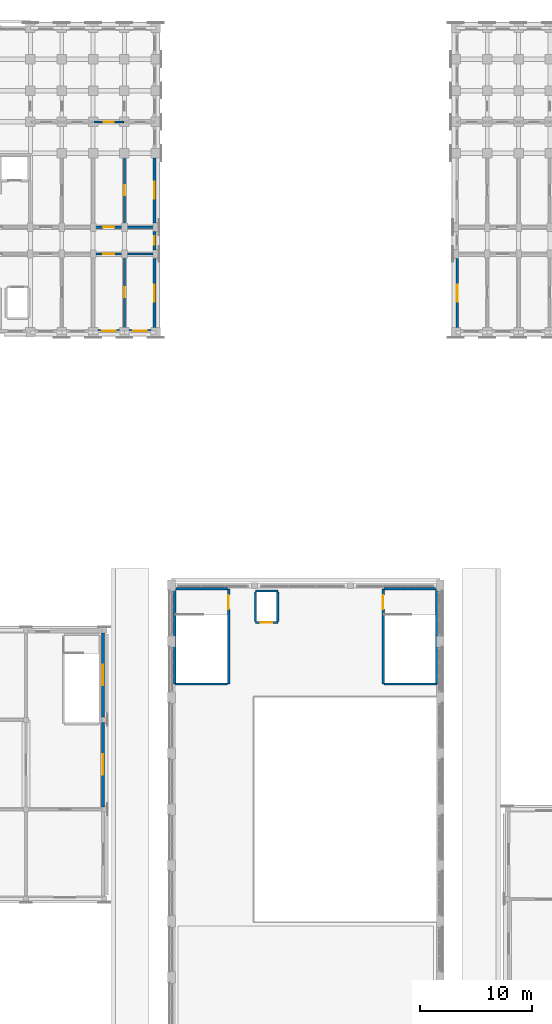
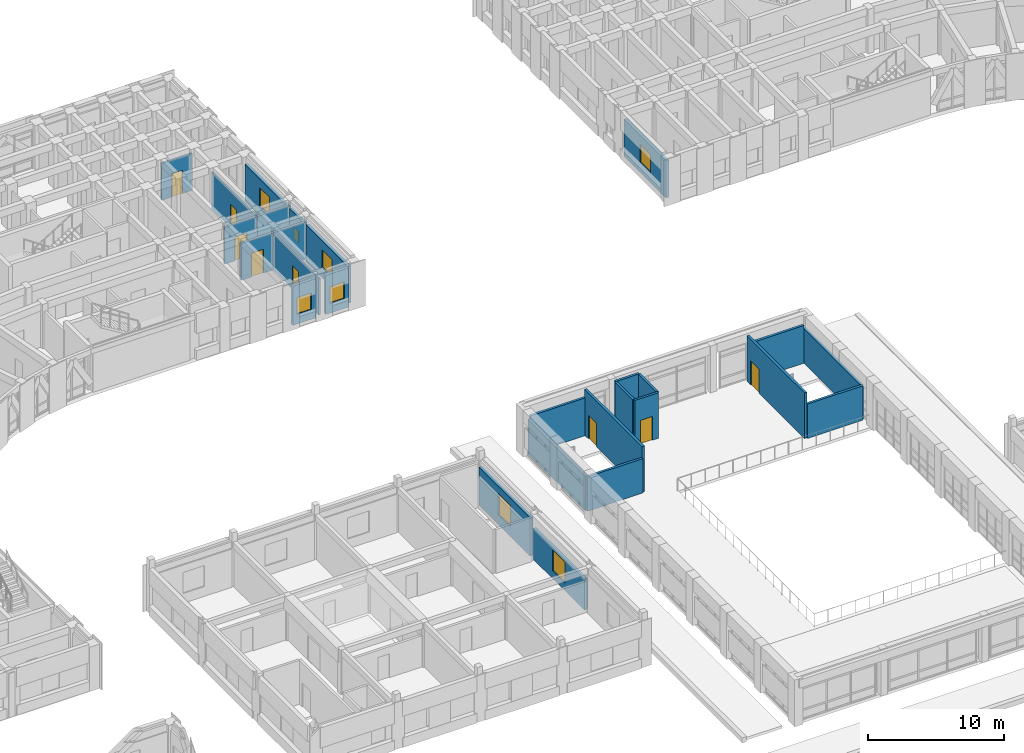
# One storey, part 71 of 97: 27 walls, 8 doors, 8 windows, 16 openings.
"""IFC4 building model written with IfcOpenShell, lengths in metres."""

from ifc_helpers import new_model, si_unit, direction, frame, frame_2d, origin, place, context, subcontext, project, spatial, rectangle, extrude, material, layer, layer_set, type_object, element, fill, save


model = new_model("IFC4")

# Units and contexts
model_context = context("Model", 3, precision=1e-05, world=origin(), true_north=direction((0.0, 1.0)))
body_context = subcontext(model_context, "Body", "Model", "MODEL_VIEW")
ifc_project = project(units=[si_unit("LENGTHUNIT", "METRE"), si_unit("AREAUNIT", "SQUARE_METRE"), si_unit("VOLUMEUNIT", "CUBIC_METRE"), si_unit("PLANEANGLEUNIT", "RADIAN"), si_unit("MASSUNIT", "GRAM", prefix="KILO")], contexts=[model_context])

# Site, building, storey
site_placement = place(None, origin())
site = spatial("IfcSite", under=ifc_project, at=site_placement, CompositionType="ELEMENT")
building_placement = place(site_placement, origin())
building = spatial("IfcBuilding", under=site, at=building_placement, Name="Kiranvali Square Residences", CompositionType="ELEMENT")
storey_placement = place(building_placement, frame((0.0, 0.0, 4.5)))
storey = spatial("IfcBuildingStorey", under=building, at=storey_placement, Name="L01", CompositionType="ELEMENT", Elevation=4.5)

# Wall, opening, door
ifc_material_1 = material(Name="Autoclaved aerated concrete blockwork masonry", Category="masonry")
ifc_layer_1 = layer(ifc_material_1, 0.199951171875)
ifc_layer_set_1 = layer_set([ifc_layer_1], Name="Autoclaved aerated concrete blockwork masonry")
wall_type_1 = type_object("IfcWallType", Name="WL-COR-200", PredefinedType="STANDARD", material=ifc_layer_set_1)
wall_1_placement = place(storey_placement, frame((65.0, 113.60009765625, 0.0), z_axis=(0.0, 0.0, 1.0), x_axis=(1.0, 0.0, 0.0)))
wall_1 = element("IfcWall", 1, at=wall_1_placement, inside=storey, type_object=wall_type_1, Name="L01 architectural wall WL-L01-A-A1CI-2", PredefinedType="STANDARD", context=body_context, shape_type="SweptSolid", body=[
    extrude(rectangle(XDim=2.800048828125, YDim=0.199951171875, at=frame_2d((1.39990234375, 0.0))), origin(), (0.0, 0.0, 1.0), 3.322021484375),
])
opening_1_placement = place(wall_1_placement, frame((0.89990234375, 0.0, 0.0)))
opening_1 = element("IfcOpeningElement", 2, at=opening_1_placement, cuts=wall_1, Name="Opening FD-APT-60", PredefinedType="OPENING", context=body_context, shape_type="SweptSolid", body=[
    extrude(rectangle(XDim=1.0, YDim=2.14990234375, at=frame_2d((0.5, 1.074951171875))), frame((0.0, 0.10986328125, 0.0), z_axis=(0.0, -1.0, 0.0), x_axis=(1.0, 0.0, 0.0)), (0.0, 0.0, 1.0), 0.219970703125),
])
ifc_material_2 = material(Name="Fire-rated acoustic hardwood and mineral-core door assembly", Category="wood")
door_type_1 = type_object("IfcDoorType", Name="DR-APT-1000", OperationType="NOTDEFINED", PredefinedType="DOOR", material=ifc_material_2)
door_1_placement = place(opening_1_placement, frame((1.0, 0.0, 0.0), z_axis=(0.0, 0.0, 1.0), x_axis=(-1.0, 0.0, 0.0)))
door_1 = element("IfcDoor", 3, at=door_1_placement, inside=storey, type_object=door_type_1, Name="L01 door DR-L01-0112 (DR-APT-1000)", OperationType="SINGLE_SWING_RIGHT", OverallHeight=2.14990234375, OverallWidth=1.0, PredefinedType="DOOR", context=body_context, shape_type="SweptSolid", body=[
    extrude(rectangle(XDim=1.0, YDim=2.14990234375, at=frame_2d((0.5, 1.074951171875))), frame((0.0, 0.02490234375, 0.0), z_axis=(0.0, -1.0, 0.0), x_axis=(1.0, 0.0, 0.0)), (0.0, 0.0, 1.0), 0.050048828125),
])
fill(opening_1, door_1)

wall_2_placement = place(storey_placement, frame((65.0, 116.0, 0.0), z_axis=(0.0, 0.0, 1.0), x_axis=(1.0, 0.0, 0.0)))
wall_2 = element("IfcWall", 4, at=wall_2_placement, inside=storey, type_object=wall_type_1, Name="L01 architectural wall WL-L01-A-A1CO-2", PredefinedType="STANDARD", context=body_context, shape_type="SweptSolid", body=[
    extrude(rectangle(XDim=2.800048828125, YDim=0.199951171875, at=frame_2d((1.39990234375, 0.0))), origin(), (0.0, 0.0, 1.0), 3.322021484375),
])
opening_2_placement = place(wall_2_placement, frame((0.89990234375, 0.0, 0.0)))
opening_2 = element("IfcOpeningElement", 5, at=opening_2_placement, cuts=wall_2, Name="Opening FD-APT-60", PredefinedType="OPENING", context=body_context, shape_type="SweptSolid", body=[
    extrude(rectangle(XDim=1.0, YDim=2.14990234375, at=frame_2d((0.5, 1.074951171875))), frame((0.0, 0.10986328125, 0.0), z_axis=(0.0, -1.0, 0.0), x_axis=(1.0, 0.0, 0.0)), (0.0, 0.0, 1.0), 0.219970703125),
])
door_2_placement = place(opening_2_placement, frame((1.0, 0.0, 0.0), z_axis=(0.0, 0.0, 1.0), x_axis=(-1.0, 0.0, 0.0)))
door_2 = element("IfcDoor", 6, at=door_2_placement, inside=storey, type_object=door_type_1, Name="L01 door DR-L01-0114 (DR-APT-1000)", OperationType="SINGLE_SWING_RIGHT", OverallHeight=2.14990234375, OverallWidth=1.0, PredefinedType="DOOR", context=body_context, shape_type="SweptSolid", body=[
    extrude(rectangle(XDim=1.0, YDim=2.14990234375, at=frame_2d((0.5, 1.074951171875))), frame((0.0, 0.02490234375, 0.0), z_axis=(0.0, -1.0, 0.0), x_axis=(1.0, 0.0, 0.0)), (0.0, 0.0, 1.0), 0.050048828125),
])
fill(opening_2, door_2)

# Walls
for number, where, z_axis, x_axis, name in (
    (7, (67.800048828125, 113.60009765625, 0.0), (0.0, 0.0, 1.0), (1.0, 0.0, 0.0), "L01 architectural wall WL-L01-A-A1CI-3"),
    (8, (67.800048828125, 116.0, 0.0), (0.0, 0.0, 1.0), (1.0, 0.0, 0.0), "L01 architectural wall WL-L01-A-A1CO-3"),
):
    element("IfcWall", number, at=place(storey_placement, frame(where, z_axis=z_axis, x_axis=x_axis)), inside=storey, type_object=wall_type_1, Name=name, PredefinedType="STANDARD", context=body_context, shape_type="SweptSolid", body=[
        extrude(rectangle(XDim=2.800048828125, YDim=0.199951171875, at=frame_2d((1.39990234375, 0.0))), origin(), (0.0, 0.0, 1.0), 3.322021484375),
    ])

# Wall, opening, window
ifc_material_3 = material(Name="Breathable lime-rendered clay brick masonry", Category="masonry")
ifc_layer_2 = layer(ifc_material_3, 0.25)
ifc_layer_set_2 = layer_set([ifc_layer_2], Name="Breathable lime-rendered clay brick masonry")
wall_type_2 = type_object("IfcWallType", Name="WL-EXT-250", PredefinedType="STANDARD", material=ifc_layer_set_2)
wall_3_placement = place(storey_placement, frame((65.419921875, 106.72509765625, 0.0), z_axis=(0.0, 0.0, 1.0), x_axis=(1.0, 0.0, 0.0)))
wall_3 = element("IfcWall", 9, at=wall_3_placement, inside=storey, type_object=wall_type_2, Name="L01 exterior wall A-L01-A1I-2", PredefinedType="STANDARD", context=body_context, shape_type="SweptSolid", body=[
    extrude(rectangle(XDim=1.9599609375, YDim=0.25, at=frame_2d((0.97998046875, 0.0))), origin(), (0.0, 0.0, 1.0), 3.52197265625),
])
opening_3_placement = place(wall_3_placement, frame((0.3798828125, 0.0, 0.8798828125)))
opening_3 = element("IfcOpeningElement", 10, at=opening_3_placement, cuts=wall_3, Name="Opening W-06", PredefinedType="OPENING", context=body_context, shape_type="SweptSolid", body=[
    extrude(rectangle(XDim=1.199951171875, YDim=1.5, at=frame_2d((0.60009765625, 0.75))), frame((0.0, 0.135009765625, 0.0), z_axis=(0.0, -1.0, 0.0), x_axis=(1.0, 0.0, 0.0)), (0.0, 0.0, 1.0), 0.27001953125),
])
ifc_material_4 = material(Name="Solar-control low-e double glazing", Category="glass")
window_type_1 = type_object("IfcWindowType", Name="WIN-RES-1200x1500", PartitioningType="SINGLE_PANEL", PredefinedType="WINDOW", material=ifc_material_4)
window_1_placement = place(opening_3_placement, origin())
window_1 = element("IfcWindow", 11, at=window_1_placement, inside=storey, type_object=window_type_1, Name="L01 recessed window A-L01-A1I-2", OverallHeight=1.5, OverallWidth=1.199951171875, PartitioningType="SINGLE_PANEL", PredefinedType="WINDOW", context=body_context, shape_type="SweptSolid", body=[
    extrude(rectangle(XDim=1.199951171875, YDim=1.5, at=frame_2d((0.60009765625, 0.75))), frame((0.0, 0.030029296875, 0.0), z_axis=(0.0, -1.0, 0.0), x_axis=(1.0, 0.0, 0.0)), (0.0, 0.0, 1.0), 0.06005859375),
])
fill(opening_3, window_1)

wall_4_placement = place(storey_placement, frame((68.219970703125, 106.72509765625, 0.0), z_axis=(0.0, 0.0, 1.0), x_axis=(1.0, 0.0, 0.0)))
wall_4 = element("IfcWall", 12, at=wall_4_placement, inside=storey, type_object=wall_type_2, Name="L01 exterior wall A-L01-A1I-3", PredefinedType="STANDARD", context=body_context, shape_type="SweptSolid", body=[
    extrude(rectangle(XDim=1.9599609375, YDim=0.25, at=frame_2d((0.97998046875, 0.0))), origin(), (0.0, 0.0, 1.0), 3.52197265625),
])
opening_4_placement = place(wall_4_placement, frame((0.3798828125, 0.0, 0.8798828125)))
opening_4 = element("IfcOpeningElement", 13, at=opening_4_placement, cuts=wall_4, Name="Opening W-06", PredefinedType="OPENING", context=body_context, shape_type="SweptSolid", body=[
    extrude(rectangle(XDim=1.199951171875, YDim=1.5, at=frame_2d((0.60009765625, 0.75))), frame((0.0, 0.135009765625, 0.0), z_axis=(0.0, -1.0, 0.0), x_axis=(1.0, 0.0, 0.0)), (0.0, 0.0, 1.0), 0.27001953125),
])
window_2_placement = place(opening_4_placement, origin())
window_2 = element("IfcWindow", 14, at=window_2_placement, inside=storey, type_object=window_type_1, Name="L01 recessed window A-L01-A1I-3", OverallHeight=1.5, OverallWidth=1.199951171875, PartitioningType="SINGLE_PANEL", PredefinedType="WINDOW", context=body_context, shape_type="SweptSolid", body=[
    extrude(rectangle(XDim=1.199951171875, YDim=1.5, at=frame_2d((0.60009765625, 0.75))), frame((0.0, 0.030029296875, 0.0), z_axis=(0.0, -1.0, 0.0), x_axis=(1.0, 0.0, 0.0)), (0.0, 0.0, 1.0), 0.06005859375),
])
fill(opening_4, window_2)

wall_5_placement = place(storey_placement, frame((70.47509765625, 107.02001953125, 0.0), z_axis=(0.0, 0.0, 1.0), x_axis=(0.0, 1.0, 0.0)))
wall_5 = element("IfcWall", 15, at=wall_5_placement, inside=storey, type_object=wall_type_2, Name="L01 exterior wall A-L01-A1END-0", PredefinedType="STANDARD", context=body_context, shape_type="SweptSolid", body=[
    extrude(rectangle(XDim=6.201416015625, YDim=0.25, at=frame_2d((3.1005859375, 0.0))), origin(), (0.0, 0.0, 1.0), 3.322021484375),
])
opening_5_placement = place(wall_5_placement, frame((2.330078125, 0.0, 0.8798828125)))
opening_5 = element("IfcOpeningElement", 16, at=opening_5_placement, cuts=wall_5, Name="Opening W-05", PredefinedType="OPENING", context=body_context, shape_type="SweptSolid", body=[
    extrude(rectangle(XDim=1.5, YDim=1.64990234375, at=frame_2d((0.75, 0.824951171875))), frame((0.0, 0.135009765625, 0.0), z_axis=(0.0, -1.0, 0.0), x_axis=(1.0, 0.0, 0.0)), (0.0, 0.0, 1.0), 0.27001953125),
])
window_type_2 = type_object("IfcWindowType", Name="WIN-RES-1500x1650", PartitioningType="DOUBLE_PANEL_VERTICAL", PredefinedType="WINDOW", material=ifc_material_4)
window_3_placement = place(opening_5_placement, origin())
window_3 = element("IfcWindow", 17, at=window_3_placement, inside=storey, type_object=window_type_2, Name="L01 recessed window A-L01-A1END-0", OverallHeight=1.64990234375, OverallWidth=1.5, PartitioningType="DOUBLE_PANEL_VERTICAL", PredefinedType="WINDOW", context=body_context, shape_type="SweptSolid", body=[
    extrude(rectangle(XDim=1.5, YDim=1.64990234375, at=frame_2d((0.75, 0.824951171875))), frame((0.0, 0.030029296875, 0.0), z_axis=(0.0, -1.0, 0.0), x_axis=(1.0, 0.0, 0.0)), (0.0, 0.0, 1.0), 0.06005859375),
])
fill(opening_5, window_3)

wall_6_placement = place(storey_placement, frame((70.47509765625, 113.978515625, 0.0), z_axis=(0.0, 0.0, 1.0), x_axis=(0.0, 1.0, 0.0)))
wall_6 = element("IfcWall", 18, at=wall_6_placement, inside=storey, type_object=wall_type_2, Name="L01 exterior wall A-L01-A1END-1", PredefinedType="STANDARD", context=body_context, shape_type="SweptSolid", body=[
    extrude(rectangle(XDim=1.64306640625, YDim=0.25, at=frame_2d((0.821533203125, 0.0))), origin(), (0.0, 0.0, 1.0), 3.322021484375),
])
opening_6_placement = place(wall_6_placement, frame((0.446533203125, 0.0, 0.8798828125)))
opening_6 = element("IfcOpeningElement", 19, at=opening_6_placement, cuts=wall_6, Name="Opening W-07", PredefinedType="OPENING", context=body_context, shape_type="SweptSolid", body=[
    extrude(rectangle(XDim=0.75, YDim=1.050048828125, at=frame_2d((0.375, 0.52490234375))), frame((0.0, 0.135009765625, 0.0), z_axis=(0.0, -1.0, 0.0), x_axis=(1.0, 0.0, 0.0)), (0.0, 0.0, 1.0), 0.27001953125),
])
window_type_3 = type_object("IfcWindowType", Name="WIN-WET-750x1050", PartitioningType="SINGLE_PANEL", PredefinedType="WINDOW", material=ifc_material_4)
window_4_placement = place(opening_6_placement, origin())
window_4 = element("IfcWindow", 20, at=window_4_placement, inside=storey, type_object=window_type_3, Name="L01 recessed window A-L01-A1END-1", OverallHeight=1.050048828125, OverallWidth=0.75, PartitioningType="SINGLE_PANEL", PredefinedType="WINDOW", context=body_context, shape_type="SweptSolid", body=[
    extrude(rectangle(XDim=0.75, YDim=1.050048828125, at=frame_2d((0.375, 0.52490234375))), frame((0.0, 0.030029296875, 0.0), z_axis=(0.0, -1.0, 0.0), x_axis=(1.0, 0.0, 0.0)), (0.0, 0.0, 1.0), 0.06005859375),
])
fill(opening_6, window_4)

wall_7_placement = place(storey_placement, frame((70.47509765625, 116.37841796875, 0.0), z_axis=(0.0, 0.0, 1.0), x_axis=(0.0, 1.0, 0.0)))
wall_7 = element("IfcWall", 21, at=wall_7_placement, inside=storey, type_object=wall_type_2, Name="L01 exterior wall A-L01-A1END-2", PredefinedType="STANDARD", context=body_context, shape_type="SweptSolid", body=[
    extrude(rectangle(XDim=5.801513671875, YDim=0.25, at=frame_2d((2.90087890625, 0.0))), origin(), (0.0, 0.0, 1.0), 3.322021484375),
])
opening_7_placement = place(wall_7_placement, frame((2.17138671875, 0.0, 0.8798828125)))
opening_7 = element("IfcOpeningElement", 22, at=opening_7_placement, cuts=wall_7, Name="Opening W-05", PredefinedType="OPENING", context=body_context, shape_type="SweptSolid", body=[
    extrude(rectangle(XDim=1.5, YDim=1.64990234375, at=frame_2d((0.75, 0.824951171875))), frame((0.0, 0.135009765625, 0.0), z_axis=(0.0, -1.0, 0.0), x_axis=(1.0, 0.0, 0.0)), (0.0, 0.0, 1.0), 0.27001953125),
])
window_5_placement = place(opening_7_placement, origin())
window_5 = element("IfcWindow", 23, at=window_5_placement, inside=storey, type_object=window_type_2, Name="L01 recessed window A-L01-A1END-2", OverallHeight=1.64990234375, OverallWidth=1.5, PartitioningType="DOUBLE_PANEL_VERTICAL", PredefinedType="WINDOW", context=body_context, shape_type="SweptSolid", body=[
    extrude(rectangle(XDim=1.5, YDim=1.64990234375, at=frame_2d((0.75, 0.824951171875))), frame((0.0, 0.030029296875, 0.0), z_axis=(0.0, -1.0, 0.0), x_axis=(1.0, 0.0, 0.0)), (0.0, 0.0, 1.0), 0.06005859375),
])
fill(opening_7, window_5)

wall_8_placement = place(storey_placement, frame((97.52490234375, 107.02001953125, 0.0), z_axis=(0.0, 0.0, 1.0), x_axis=(0.0, 1.0, 0.0)))
wall_8 = element("IfcWall", 24, at=wall_8_placement, inside=storey, type_object=wall_type_2, Name="L01 exterior wall B-L01-A1END-0", PredefinedType="STANDARD", context=body_context, shape_type="SweptSolid", body=[
    extrude(rectangle(XDim=6.201416015625, YDim=0.25, at=frame_2d((3.1005859375, 0.0))), origin(), (0.0, 0.0, 1.0), 3.322021484375),
])
opening_8_placement = place(wall_8_placement, frame((2.330078125, 0.0, 0.8798828125)))
opening_8 = element("IfcOpeningElement", 25, at=opening_8_placement, cuts=wall_8, Name="Opening W-05", PredefinedType="OPENING", context=body_context, shape_type="SweptSolid", body=[
    extrude(rectangle(XDim=1.5, YDim=1.64990234375, at=frame_2d((0.75, 0.824951171875))), frame((0.0, 0.135009765625, 0.0), z_axis=(0.0, -1.0, 0.0), x_axis=(1.0, 0.0, 0.0)), (0.0, 0.0, 1.0), 0.27001953125),
])
window_6_placement = place(opening_8_placement, origin())
window_6 = element("IfcWindow", 26, at=window_6_placement, inside=storey, type_object=window_type_2, Name="L01 recessed window B-L01-A1END-0", OverallHeight=1.64990234375, OverallWidth=1.5, PartitioningType="DOUBLE_PANEL_VERTICAL", PredefinedType="WINDOW", context=body_context, shape_type="SweptSolid", body=[
    extrude(rectangle(XDim=1.5, YDim=1.64990234375, at=frame_2d((0.75, 0.824951171875))), frame((0.0, 0.030029296875, 0.0), z_axis=(0.0, -1.0, 0.0), x_axis=(1.0, 0.0, 0.0)), (0.0, 0.0, 1.0), 0.06005859375),
])
fill(opening_8, window_6)

wall_9_placement = place(storey_placement, frame((65.875, 64.228515625, 0.0), z_axis=(0.0, 0.0, 1.0), x_axis=(0.0, 1.0, 0.0)))
wall_9 = element("IfcWall", 27, at=wall_9_placement, inside=storey, type_object=wall_type_2, Name="L01 exterior wall NR-L01-E-1", PredefinedType="STANDARD", context=body_context, shape_type="SweptSolid", body=[
    extrude(rectangle(XDim=7.54296875, YDim=0.25, at=frame_2d((3.771484375, 0.0))), origin(), (0.0, 0.0, 1.0), 2.7919921875),
])
opening_9_placement = place(wall_9_placement, frame((2.846435546875, 0.0, 0.69189453125)))
opening_9 = element("IfcOpeningElement", 28, at=opening_9_placement, cuts=wall_9, Name="Opening W-22", PredefinedType="OPENING", context=body_context, shape_type="SweptSolid", body=[
    extrude(rectangle(XDim=1.85009765625, YDim=1.89990234375, at=frame_2d((0.925048828125, 0.949951171875))), frame((0.0, 0.135009765625, 0.0), z_axis=(0.0, -1.0, 0.0), x_axis=(1.0, 0.0, 0.0)), (0.0, 0.0, 1.0), 0.27001953125),
])
window_type_4 = type_object("IfcWindowType", Name="WIN-PAV-1850x1900", PartitioningType="DOUBLE_PANEL_VERTICAL", PredefinedType="WINDOW", material=ifc_material_4)
window_7_placement = place(opening_9_placement, origin())
window_7 = element("IfcWindow", 29, at=window_7_placement, inside=storey, type_object=window_type_4, Name="L01 recessed window NR-L01-E-1", OverallHeight=1.89990234375, OverallWidth=1.85009765625, PartitioningType="DOUBLE_PANEL_VERTICAL", PredefinedType="WINDOW", context=body_context, shape_type="SweptSolid", body=[
    extrude(rectangle(XDim=1.85009765625, YDim=1.89990234375, at=frame_2d((0.925048828125, 0.949951171875))), frame((0.0, 0.030029296875, 0.0), z_axis=(0.0, -1.0, 0.0), x_axis=(1.0, 0.0, 0.0)), (0.0, 0.0, 1.0), 0.06005859375),
])
fill(opening_9, window_7)

wall_10_placement = place(storey_placement, frame((65.875, 72.228515625, 0.0), z_axis=(0.0, 0.0, 1.0), x_axis=(0.0, 1.0, 0.0)))
wall_10 = element("IfcWall", 30, at=wall_10_placement, inside=storey, type_object=wall_type_2, Name="L01 exterior wall NR-L01-E-2", PredefinedType="STANDARD", context=body_context, shape_type="SweptSolid", body=[
    extrude(rectangle(XDim=7.5185546875, YDim=0.25, at=frame_2d((3.75927734375, 0.0))), origin(), (0.0, 0.0, 1.0), 3.44189453125),
])
opening_10_placement = place(wall_10_placement, frame((2.846435546875, 0.0, 0.8798828125)))
opening_10 = element("IfcOpeningElement", 31, at=opening_10_placement, cuts=wall_10, Name="Opening W-22", PredefinedType="OPENING", context=body_context, shape_type="SweptSolid", body=[
    extrude(rectangle(XDim=1.85009765625, YDim=1.89990234375, at=frame_2d((0.925048828125, 0.949951171875))), frame((0.0, 0.135009765625, 0.0), z_axis=(0.0, -1.0, 0.0), x_axis=(1.0, 0.0, 0.0)), (0.0, 0.0, 1.0), 0.27001953125),
])
window_8_placement = place(opening_10_placement, origin())
window_8 = element("IfcWindow", 32, at=window_8_placement, inside=storey, type_object=window_type_4, Name="L01 recessed window NR-L01-E-2", OverallHeight=1.89990234375, OverallWidth=1.85009765625, PartitioningType="DOUBLE_PANEL_VERTICAL", PredefinedType="WINDOW", context=body_context, shape_type="SweptSolid", body=[
    extrude(rectangle(XDim=1.85009765625, YDim=1.89990234375, at=frame_2d((0.925048828125, 0.949951171875))), frame((0.0, 0.030029296875, 0.0), z_axis=(0.0, -1.0, 0.0), x_axis=(1.0, 0.0, 0.0)), (0.0, 0.0, 1.0), 0.06005859375),
])
fill(opening_10, window_8)

# Wall, opening, door
ifc_material_5 = material(Name="Acoustic gypsum board drylined partition", Category="gypsum")
ifc_layer_3 = layer(ifc_material_5, 0.14990234375)
ifc_layer_set_3 = layer_set([ifc_layer_3], Name="Acoustic gypsum board drylined partition")
wall_type_3 = type_object("IfcWallType", Name="WL-PRT-150", PredefinedType="PARTITIONING", material=ifc_layer_set_3)
wall_11_placement = place(storey_placement, frame((67.800048828125, 106.800048828125, 0.0), z_axis=(0.0, 0.0, 1.0), x_axis=(0.0, 1.0, 0.0)))
wall_11 = element("IfcWall", 33, at=wall_11_placement, inside=storey, type_object=wall_type_3, Name="L01 architectural wall WL-L01-A-A1TI-3", PredefinedType="PARTITIONING", context=body_context, shape_type="SweptSolid", body=[
    extrude(rectangle(XDim=6.75, YDim=0.14990234375, at=frame_2d((3.375, 0.0))), origin(), (0.0, 0.0, 1.0), 3.322021484375),
])
opening_11_placement = place(wall_11_placement, frame((2.925048828125, 0.0, 0.0)))
opening_11 = element("IfcOpeningElement", 34, at=opening_11_placement, cuts=wall_11, Name="Opening ID-1", PredefinedType="OPENING", context=body_context, shape_type="SweptSolid", body=[
    extrude(rectangle(XDim=0.89990234375, YDim=2.10009765625, at=frame_2d((0.449951171875, 1.050048828125))), frame((0.0, 0.0849609375, 0.0), z_axis=(0.0, -1.0, 0.0), x_axis=(1.0, 0.0, 0.0)), (0.0, 0.0, 1.0), 0.169921875),
])
ifc_material_6 = material(Name="Solid seasoned teak hardwood joinery", Category="wood")
door_type_2 = type_object("IfcDoorType", Name="DR-INT-900", OperationType="NOTDEFINED", PredefinedType="DOOR", material=ifc_material_6)
door_3_placement = place(opening_11_placement, frame((0.89990234375, 0.0, 0.0), z_axis=(0.0, 0.0, 1.0), x_axis=(-1.0, 0.0, 0.0)))
door_3 = element("IfcDoor", 35, at=door_3_placement, inside=storey, type_object=door_type_2, Name="L01 door DR-L01-0120 (DR-INT-900)", OperationType="SINGLE_SWING_RIGHT", OverallHeight=2.10009765625, OverallWidth=0.89990234375, PredefinedType="DOOR", context=body_context, shape_type="SweptSolid", body=[
    extrude(rectangle(XDim=0.89990234375, YDim=2.10009765625, at=frame_2d((0.449951171875, 1.050048828125))), frame((0.0, 0.02490234375, 0.0), z_axis=(0.0, -1.0, 0.0), x_axis=(1.0, 0.0, 0.0)), (0.0, 0.0, 1.0), 0.050048828125),
])
fill(opening_11, door_3)

wall_12_placement = place(storey_placement, frame((67.800048828125, 116.050048828125, 0.0), z_axis=(0.0, 0.0, 1.0), x_axis=(0.0, 1.0, 0.0)))
wall_12 = element("IfcWall", 36, at=wall_12_placement, inside=storey, type_object=wall_type_3, Name="L01 architectural wall WL-L01-A-A1TO1-3", PredefinedType="PARTITIONING", context=body_context, shape_type="SweptSolid", body=[
    extrude(rectangle(XDim=6.530029296875, YDim=0.14990234375, at=frame_2d((3.26513671875, 0.0))), origin(), (0.0, 0.0, 1.0), 3.322021484375),
])
opening_12_placement = place(wall_12_placement, frame((2.81494140625, 0.0, 0.0)))
opening_12 = element("IfcOpeningElement", 37, at=opening_12_placement, cuts=wall_12, Name="Opening ID-1", PredefinedType="OPENING", context=body_context, shape_type="SweptSolid", body=[
    extrude(rectangle(XDim=0.89990234375, YDim=2.10009765625, at=frame_2d((0.449951171875, 1.050048828125))), frame((0.0, 0.0849609375, 0.0), z_axis=(0.0, -1.0, 0.0), x_axis=(1.0, 0.0, 0.0)), (0.0, 0.0, 1.0), 0.169921875),
])
door_4_placement = place(opening_12_placement, origin())
door_4 = element("IfcDoor", 38, at=door_4_placement, inside=storey, type_object=door_type_2, Name="L01 door DR-L01-0121 (DR-INT-900)", OperationType="SINGLE_SWING_LEFT", OverallHeight=2.10009765625, OverallWidth=0.89990234375, PredefinedType="DOOR", context=body_context, shape_type="SweptSolid", body=[
    extrude(rectangle(XDim=0.89990234375, YDim=2.10009765625, at=frame_2d((0.449951171875, 1.050048828125))), frame((0.0, 0.02490234375, 0.0), z_axis=(0.0, -1.0, 0.0), x_axis=(1.0, 0.0, 0.0)), (0.0, 0.0, 1.0), 0.050048828125),
])
fill(opening_12, door_4)

ifc_layer_4 = layer(ifc_material_1, 0.199951171875)
ifc_layer_set_4 = layer_set([ifc_layer_4], Name="Autoclaved aerated concrete blockwork masonry")
wall_type_4 = type_object("IfcWallType", Name="WL-SHF-200", PredefinedType="STANDARD", material=ifc_layer_set_4)
wall_13_placement = place(storey_placement, frame((79.5, 80.699951171875, 0.0), z_axis=(0.0, 0.0, 1.0), x_axis=(1.0, 0.0, 0.0)))
wall_13 = element("IfcWall", 39, at=wall_13_placement, inside=storey, type_object=wall_type_4, Name="L01 architectural wall WL-CH-L01-LFT-S", PredefinedType="STANDARD", context=body_context, shape_type="SweptSolid", body=[
    extrude(rectangle(XDim=2.0, YDim=0.199951171875, at=frame_2d((1.0, 0.0))), origin(), (0.0, 0.0, 1.0), 4.10009765625),
])
opening_13_placement = place(wall_13_placement, frame((0.489990234375, 0.0, 0.0)))
opening_13 = element("IfcOpeningElement", 40, at=opening_13_placement, cuts=wall_13, Name="Opening LD-PAX-100", PredefinedType="OPENING", context=body_context, shape_type="SweptSolid", body=[
    extrude(rectangle(XDim=1.02001953125, YDim=2.14990234375, at=frame_2d((0.510009765625, 1.074951171875))), frame((0.0, 0.10986328125, 0.0), z_axis=(0.0, -1.0, 0.0), x_axis=(1.0, 0.0, 0.0)), (0.0, 0.0, 1.0), 0.219970703125),
])
door_type_3 = type_object("IfcDoorType", Name="DR-LIFT-1000", OperationType="SLIDING_TO_RIGHT", PredefinedType="DOOR", material=ifc_material_2)
door_5_placement = place(opening_13_placement, origin())
door_5 = element("IfcDoor", 41, at=door_5_placement, inside=storey, type_object=door_type_3, Name="L01 door DR-L01-2301 (DR-LIFT-1000)", OperationType="SLIDING_TO_RIGHT", OverallHeight=2.14990234375, OverallWidth=1.02001953125, PredefinedType="DOOR", context=body_context, shape_type="SweptSolid", body=[
    extrude(rectangle(XDim=1.02001953125, YDim=2.14990234375, at=frame_2d((0.510009765625, 1.074951171875))), frame((0.0, 0.02490234375, 0.0), z_axis=(0.0, -1.0, 0.0), x_axis=(1.0, 0.0, 0.0)), (0.0, 0.0, 1.0), 0.050048828125),
])
fill(opening_13, door_5)

# Walls
wall_14_placement = place(storey_placement, frame((79.5, 83.5, 0.0), z_axis=(0.0, 0.0, 1.0), x_axis=(1.0, 0.0, 0.0)))
element("IfcWall", 42, at=wall_14_placement, inside=storey, type_object=wall_type_4, Name="L01 architectural wall WL-CH-L01-LFT-N", PredefinedType="STANDARD", context=body_context, shape_type="SweptSolid", body=[
    extrude(rectangle(XDim=2.0, YDim=0.199951171875, at=frame_2d((1.0, 0.0))), origin(), (0.0, 0.0, 1.0), 4.10009765625),
])
for number, where, z_axis, x_axis, name in (
    (43, (79.5, 80.800048828125, 0.0), (0.0, 0.0, 1.0), (0.0, 1.0, 0.0), "L01 architectural wall WL-CH-L01-LFT-W"),
    (44, (81.5, 80.800048828125, 0.0), (0.0, 0.0, 1.0), (0.0, 1.0, 0.0), "L01 architectural wall WL-CH-L01-LFT-E"),
):
    element("IfcWall", number, at=place(storey_placement, frame(where, z_axis=z_axis, x_axis=x_axis)), inside=storey, type_object=wall_type_4, Name=name, PredefinedType="STANDARD", context=body_context, shape_type="SweptSolid", body=[
        extrude(rectangle(XDim=2.599853515625, YDim=0.199951171875, at=frame_2d((1.2998046875, 0.0))), origin(), (0.0, 0.0, 1.0), 4.10009765625),
    ])
ifc_layer_5 = layer(ifc_material_1, 0.2099609375)
ifc_layer_set_5 = layer_set([ifc_layer_5], Name="Autoclaved aerated concrete blockwork masonry")
wall_type_5 = type_object("IfcWallType", Name="WL-SHF-210", PredefinedType="STANDARD", material=ifc_layer_set_5)
wall_15_placement = place(storey_placement, frame((72.300048828125, 75.199951171875, 0.0), z_axis=(0.0, 0.0, 1.0), x_axis=(1.0, 0.0, 0.0)))
element("IfcWall", 45, at=wall_15_placement, inside=storey, type_object=wall_type_5, Name="L01 architectural wall WL-CH-L01-ST1-S", PredefinedType="STANDARD", context=body_context, shape_type="SweptSolid", body=[
    extrude(rectangle(XDim=4.699951171875, YDim=0.2099609375, at=frame_2d((2.35009765625, 0.0))), origin(), (0.0, 0.0, 1.0), 3.092041015625),
])
wall_16_placement = place(storey_placement, frame((72.300048828125, 75.199951171875, 0.0), z_axis=(0.0, 0.0, 1.0), x_axis=(0.0, 1.0, 0.0)))
element("IfcWall", 46, at=wall_16_placement, inside=storey, type_object=wall_type_5, Name="L01 architectural wall WL-CH-L01-ST1-W", PredefinedType="STANDARD", context=body_context, shape_type="SweptSolid", body=[
    extrude(rectangle(XDim=8.5, YDim=0.2099609375, at=frame_2d((4.25, 0.0))), origin(), (0.0, 0.0, 1.0), 3.092041015625),
])
wall_17_placement = place(storey_placement, frame((72.39990234375, 83.699951171875, 0.0), z_axis=(0.0, 0.0, 1.0), x_axis=(1.0, 0.0, 0.0)))
element("IfcWall", 47, at=wall_17_placement, inside=storey, type_object=wall_type_5, Name="L01 architectural wall WL-CH-L01-ST1-N", PredefinedType="STANDARD", context=body_context, shape_type="SweptSolid", body=[
    extrude(rectangle(XDim=4.60009765625, YDim=0.2099609375, at=frame_2d((2.300048828125, 0.0))), origin(), (0.0, 0.0, 1.0), 3.39208984375),
])

# Wall, opening, door
wall_18_placement = place(storey_placement, frame((77.10009765625, 75.199951171875, 0.0), z_axis=(0.0, 0.0, 1.0), x_axis=(0.0, 1.0, 0.0)))
wall_18 = element("IfcWall", 48, at=wall_18_placement, inside=storey, type_object=wall_type_5, Name="L01 architectural wall WL-CH-L01-ST1-E", PredefinedType="STANDARD", context=body_context, shape_type="SweptSolid", body=[
    extrude(rectangle(XDim=8.5, YDim=0.2099609375, at=frame_2d((4.25, 0.0))), origin(), (0.0, 0.0, 1.0), 4.10009765625),
])
opening_14_placement = place(wall_18_placement, frame((6.68994140625, 0.0, 0.0)))
opening_14 = element("IfcOpeningElement", 49, at=opening_14_placement, cuts=wall_18, Name="Opening FD-ST-120", PredefinedType="OPENING", context=body_context, shape_type="SweptSolid", body=[
    extrude(rectangle(XDim=1.239990234375, YDim=2.14990234375, at=frame_2d((0.6201171875, 1.074951171875))), frame((0.0, 0.114990234375, 0.0), z_axis=(0.0, -1.0, 0.0), x_axis=(1.0, 0.0, 0.0)), (0.0, 0.0, 1.0), 0.22998046875),
])
door_type_4 = type_object("IfcDoorType", Name="DR-FD120-1200", OperationType="NOTDEFINED", PredefinedType="DOOR", material=ifc_material_2)
door_6_placement = place(opening_14_placement, origin())
door_6 = element("IfcDoor", 50, at=door_6_placement, inside=storey, type_object=door_type_4, Name="L01 door DR-L01-2299 (DR-FD120-1200)", OperationType="SINGLE_SWING_LEFT", OverallHeight=2.14990234375, OverallWidth=1.239990234375, PredefinedType="DOOR", context=body_context, shape_type="SweptSolid", body=[
    extrude(rectangle(XDim=1.239990234375, YDim=2.14990234375, at=frame_2d((0.6201171875, 1.074951171875))), frame((0.0, 0.02490234375, 0.0), z_axis=(0.0, -1.0, 0.0), x_axis=(1.0, 0.0, 0.0)), (0.0, 0.0, 1.0), 0.050048828125),
])
fill(opening_14, door_6)

# Walls
wall_19_placement = place(storey_placement, frame((91.0, 75.199951171875, 0.0), z_axis=(0.0, 0.0, 1.0), x_axis=(1.0, 0.0, 0.0)))
element("IfcWall", 51, at=wall_19_placement, inside=storey, type_object=wall_type_5, Name="L01 architectural wall WL-CH-L01-ST2-S", PredefinedType="STANDARD", context=body_context, shape_type="SweptSolid", body=[
    extrude(rectangle(XDim=4.699951171875, YDim=0.2099609375, at=frame_2d((2.35009765625, 0.0))), origin(), (0.0, 0.0, 1.0), 3.092041015625),
])
wall_20_placement = place(storey_placement, frame((95.699951171875, 75.199951171875, 0.0), z_axis=(0.0, 0.0, 1.0), x_axis=(0.0, 1.0, 0.0)))
element("IfcWall", 52, at=wall_20_placement, inside=storey, type_object=wall_type_5, Name="L01 architectural wall WL-CH-L01-ST2-E", PredefinedType="STANDARD", context=body_context, shape_type="SweptSolid", body=[
    extrude(rectangle(XDim=8.5, YDim=0.2099609375, at=frame_2d((4.25, 0.0))), origin(), (0.0, 0.0, 1.0), 3.092041015625),
])
wall_21_placement = place(storey_placement, frame((91.0, 83.699951171875, 0.0), z_axis=(0.0, 0.0, 1.0), x_axis=(1.0, 0.0, 0.0)))
element("IfcWall", 53, at=wall_21_placement, inside=storey, type_object=wall_type_5, Name="L01 architectural wall WL-CH-L01-ST2-N", PredefinedType="STANDARD", context=body_context, shape_type="SweptSolid", body=[
    extrude(rectangle(XDim=4.60009765625, YDim=0.2099609375, at=frame_2d((2.300048828125, 0.0))), origin(), (0.0, 0.0, 1.0), 3.39208984375),
])

# Wall, opening, door
wall_22_placement = place(storey_placement, frame((90.89990234375, 75.199951171875, 0.0), z_axis=(0.0, 0.0, 1.0), x_axis=(0.0, 1.0, 0.0)))
wall_22 = element("IfcWall", 54, at=wall_22_placement, inside=storey, type_object=wall_type_5, Name="L01 architectural wall WL-CH-L01-ST2-W", PredefinedType="STANDARD", context=body_context, shape_type="SweptSolid", body=[
    extrude(rectangle(XDim=8.5, YDim=0.2099609375, at=frame_2d((4.25, 0.0))), origin(), (0.0, 0.0, 1.0), 4.10009765625),
])
opening_15_placement = place(wall_22_placement, frame((6.68994140625, 0.0, 0.0)))
opening_15 = element("IfcOpeningElement", 55, at=opening_15_placement, cuts=wall_22, Name="Opening FD-ST-120", PredefinedType="OPENING", context=body_context, shape_type="SweptSolid", body=[
    extrude(rectangle(XDim=1.239990234375, YDim=2.14990234375, at=frame_2d((0.6201171875, 1.074951171875))), frame((0.0, 0.114990234375, 0.0), z_axis=(0.0, -1.0, 0.0), x_axis=(1.0, 0.0, 0.0)), (0.0, 0.0, 1.0), 0.22998046875),
])
door_7_placement = place(opening_15_placement, frame((1.239990234375, 0.0, 0.0), z_axis=(0.0, 0.0, 1.0), x_axis=(-1.0, 0.0, 0.0)))
door_7 = element("IfcDoor", 56, at=door_7_placement, inside=storey, type_object=door_type_4, Name="L01 door DR-L01-2300 (DR-FD120-1200)", OperationType="SINGLE_SWING_RIGHT", OverallHeight=2.14990234375, OverallWidth=1.239990234375, PredefinedType="DOOR", context=body_context, shape_type="SweptSolid", body=[
    extrude(rectangle(XDim=1.239990234375, YDim=2.14990234375, at=frame_2d((0.6201171875, 1.074951171875))), frame((0.0, 0.02490234375, 0.0), z_axis=(0.0, -1.0, 0.0), x_axis=(1.0, 0.0, 0.0)), (0.0, 0.0, 1.0), 0.050048828125),
])
fill(opening_15, door_7)

ifc_layer_6 = layer(ifc_material_1, 0.14990234375)
ifc_layer_set_6 = layer_set([ifc_layer_6], Name="Autoclaved aerated concrete blockwork masonry")
wall_type_6 = type_object("IfcWallType", Name="WL-WET-150", PredefinedType="PLUMBINGWALL", material=ifc_layer_set_6)
wall_23_placement = place(storey_placement, frame((65.080078125, 125.39990234375, 0.0), z_axis=(0.0, 0.0, 1.0), x_axis=(1.0, 0.0, 0.0)))
wall_23 = element("IfcWall", 57, at=wall_23_placement, inside=storey, type_object=wall_type_6, Name="L01 architectural wall WL-L01-A-A1SP-2", PredefinedType="PLUMBINGWALL", context=body_context, shape_type="SweptSolid", body=[
    extrude(rectangle(XDim=2.639892578125, YDim=0.14990234375, at=frame_2d((1.31982421875, 0.0))), origin(), (0.0, 0.0, 1.0), 3.322021484375),
])
opening_16_placement = place(wall_23_placement, frame((0.8701171875, 0.0, 0.0)))
opening_16 = element("IfcOpeningElement", 58, at=opening_16_placement, cuts=wall_23, Name="Opening ID-1", PredefinedType="OPENING", context=body_context, shape_type="SweptSolid", body=[
    extrude(rectangle(XDim=0.89990234375, YDim=2.10009765625, at=frame_2d((0.449951171875, 1.050048828125))), frame((0.0, 0.0849609375, 0.0), z_axis=(0.0, -1.0, 0.0), x_axis=(1.0, 0.0, 0.0)), (0.0, 0.0, 1.0), 0.169921875),
])
door_8_placement = place(opening_16_placement, origin())
door_8 = element("IfcDoor", 59, at=door_8_placement, inside=storey, type_object=door_type_2, Name="L01 door DR-L01-0113 (DR-INT-900)", OperationType="SINGLE_SWING_LEFT", OverallHeight=2.10009765625, OverallWidth=0.89990234375, PredefinedType="DOOR", context=body_context, shape_type="SweptSolid", body=[
    extrude(rectangle(XDim=0.89990234375, YDim=2.10009765625, at=frame_2d((0.449951171875, 1.050048828125))), frame((0.0, 0.02490234375, 0.0), z_axis=(0.0, -1.0, 0.0), x_axis=(1.0, 0.0, 0.0)), (0.0, 0.0, 1.0), 0.050048828125),
])
fill(opening_16, door_8)

save(model, "model.ifc")
